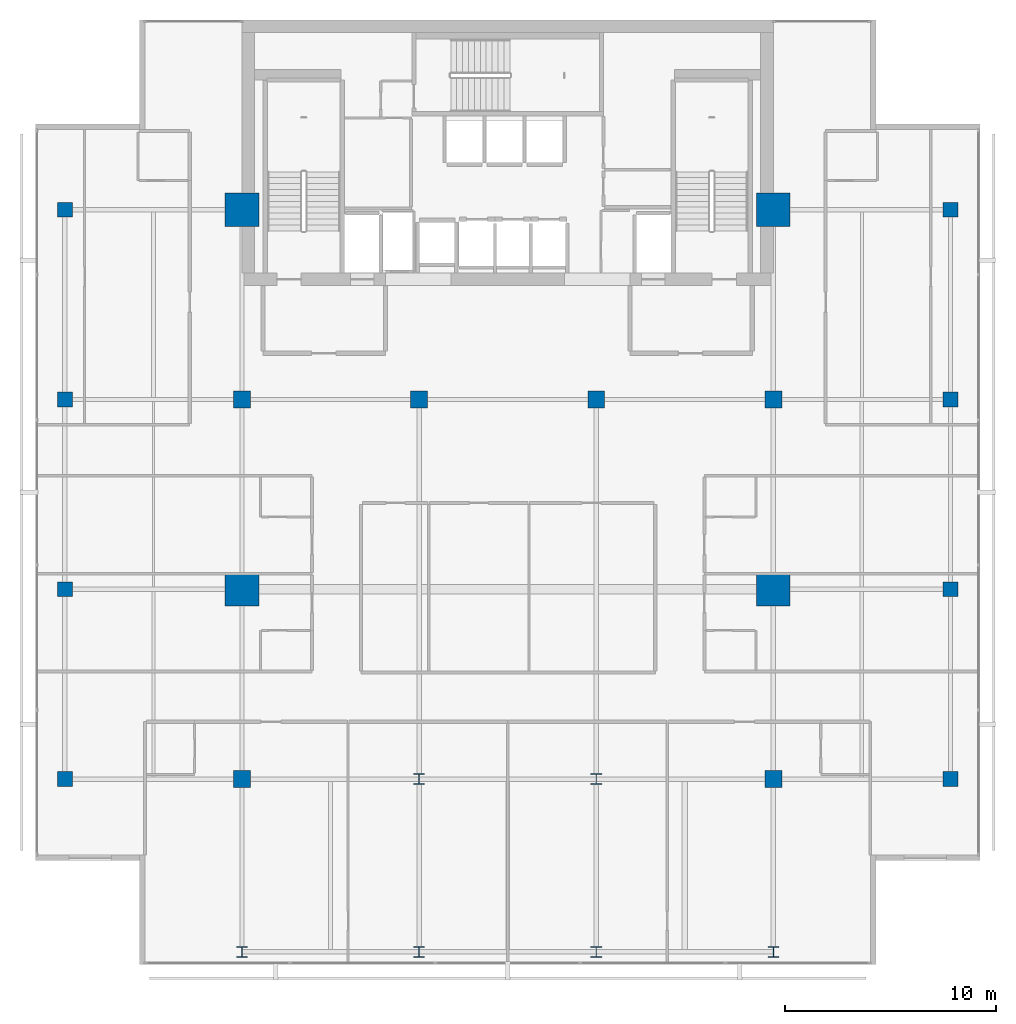
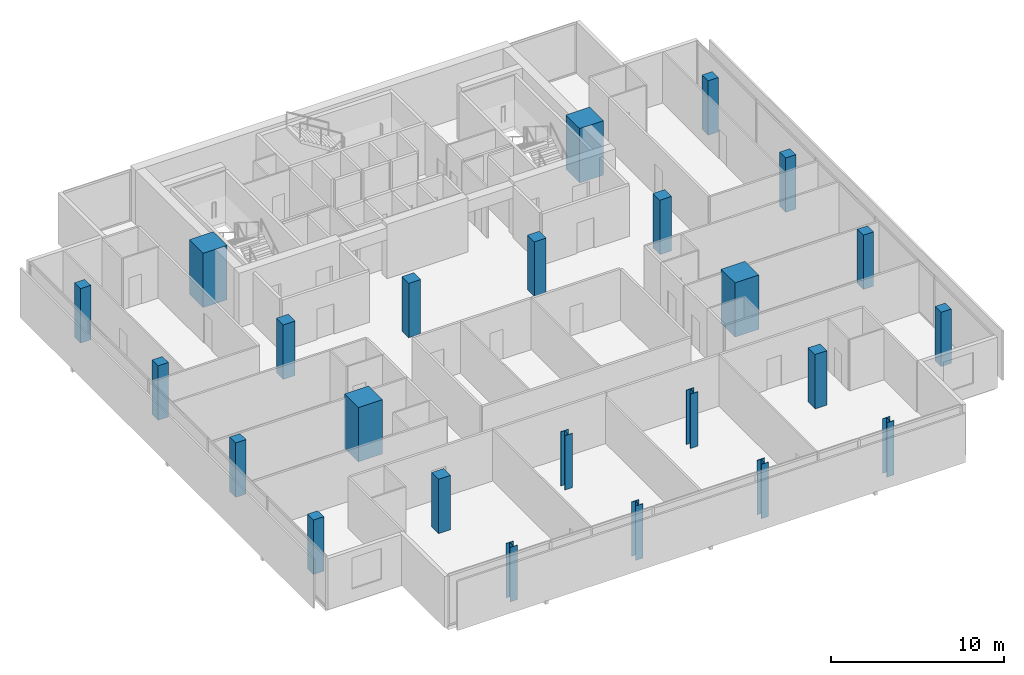
# One storey, part 1 of 25: 24 columns.
"""IFC4 building model written with IfcOpenShell, lengths in metres."""

from ifc_helpers import new_model, si_unit, direction, frame, origin, origin_2d, place, context, subcontext, project, spatial, rectangle, i_section, extrude, material, material_profile, profile_set, type_object, element, save


model = new_model("IFC4")

# Units and contexts
model_context = context("Model", 3, precision=1e-05, world=origin(), true_north=direction((0.0, 1.0)))
body_context = subcontext(model_context, "Body", "Model", "MODEL_VIEW")
ifc_project = project(units=[si_unit("LENGTHUNIT", "METRE"), si_unit("AREAUNIT", "SQUARE_METRE"), si_unit("VOLUMEUNIT", "CUBIC_METRE"), si_unit("PLANEANGLEUNIT", "RADIAN"), si_unit("MASSUNIT", "GRAM", prefix="KILO")], contexts=[model_context])

# Site, building, storey
site_placement = place(None, origin())
site = spatial("IfcSite", under=ifc_project, at=site_placement, CompositionType="ELEMENT")
building_placement = place(site_placement, origin())
building = spatial("IfcBuilding", under=site, at=building_placement, Name="Maruvema Waterfront Hotel and Observation Tower", CompositionType="ELEMENT")
storey_placement = place(building_placement, frame((0.0, 0.0, 274.050048828125)))
storey = spatial("IfcBuildingStorey", under=building, at=storey_placement, Name="L67", CompositionType="ELEMENT", Elevation=274.050048828125)

# Columns
ifc_material_1 = material(Name="Concrete C70/85", Category="concrete")
ifc_material_profile_1 = material_profile(ifc_material_1, rectangle(XDim=1.60009765625, YDim=1.60009765625, at=origin_2d()), Name="MC1600x1600")
ifc_profile_set_1 = profile_set([ifc_material_profile_1], Name="Concrete C70/85")
column_type_1 = type_object("IfcColumnType", Name="Continuous Mega-Column MC1600x1600", PredefinedType="COLUMN", material=ifc_profile_set_1)
for number, where, z_axis, x_axis, name in (
    (1, (25.199951171875, 27.0, 0.0), (0.0, 0.0, 1.0), (1.0, 0.0, 0.0), "L67 Continuous Mega-Column MC-01"),
    (2, (50.39990234375, 27.0, 0.0), (0.0, 0.0, 1.0), (1.0, 0.0, 0.0), "L67 Continuous Mega-Column MC-02"),
    (3, (25.199951171875, 45.0, 0.0), (0.0, 0.0, 1.0), (1.0, 0.0, 0.0), "L67 Continuous Mega-Column MC-03"),
    (4, (50.39990234375, 45.0, 0.0), (0.0, 0.0, 1.0), (1.0, 0.0, 0.0), "L67 Continuous Mega-Column MC-04"),
):
    element("IfcColumn", number, at=place(storey_placement, frame(where, z_axis=z_axis, x_axis=x_axis)), inside=storey, type_object=column_type_1, Name=name, PredefinedType="COLUMN", context=body_context, shape_type="SweptSolid", body=[
        extrude(rectangle(XDim=1.60009765625, YDim=1.60009765625, at=origin_2d()), origin(), (0.0, 0.0, 1.0), 3.849853515625),
    ])
ifc_material_2 = material(Name="Concrete C60/75", Category="concrete")
ifc_material_profile_2 = material_profile(ifc_material_2, rectangle(XDim=0.699951171875, YDim=0.699951171875, at=origin_2d()), Name="RC700x700")
ifc_profile_set_2 = profile_set([ifc_material_profile_2], Name="Concrete C60/75")
column_type_2 = type_object("IfcColumnType", Name="Reinforced Concrete Column RC700x700", PredefinedType="COLUMN", material=ifc_profile_set_2)
for number, where, z_axis, x_axis, name in (
    (5, (16.800048828125, 18.0, 0.0), (0.0, 0.0, 1.0), (1.0, 0.0, 0.0), "L67 Column C-3Y18"),
    (6, (58.800048828125, 18.0, 0.0), (0.0, 0.0, 1.0), (1.0, 0.0, 0.0), "L67 Column C-8Y18"),
    (7, (16.800048828125, 27.0, 0.0), (0.0, 0.0, 1.0), (1.0, 0.0, 0.0), "L67 Column C-3Y27"),
    (8, (58.800048828125, 27.0, 0.0), (0.0, 0.0, 1.0), (1.0, 0.0, 0.0), "L67 Column C-8Y27"),
    (9, (16.800048828125, 36.0, 0.0), (0.0, 0.0, 1.0), (1.0, 0.0, 0.0), "L67 Column C-3Y36"),
    (10, (58.800048828125, 36.0, 0.0), (0.0, 0.0, 1.0), (1.0, 0.0, 0.0), "L67 Column C-8Y36"),
    (11, (16.800048828125, 45.0, 0.0), (0.0, 0.0, 1.0), (1.0, 0.0, 0.0), "L67 Column C-3Y45"),
    (12, (58.800048828125, 45.0, 0.0), (0.0, 0.0, 1.0), (1.0, 0.0, 0.0), "L67 Column C-8Y45"),
):
    element("IfcColumn", number, at=place(storey_placement, frame(where, z_axis=z_axis, x_axis=x_axis)), inside=storey, type_object=column_type_2, Name=name, PredefinedType="COLUMN", context=body_context, shape_type="SweptSolid", body=[
        extrude(rectangle(XDim=0.699951171875, YDim=0.699951171875, at=origin_2d()), origin(), (0.0, 0.0, 1.0), 3.849853515625),
    ])
ifc_material_3 = material(Name="Concrete C60/75", Category="concrete")
ifc_material_profile_3 = material_profile(ifc_material_3, rectangle(XDim=0.800048828125, YDim=0.800048828125, at=origin_2d()), Name="RC800x800")
ifc_profile_set_3 = profile_set([ifc_material_profile_3], Name="Concrete C60/75")
column_type_3 = type_object("IfcColumnType", Name="Reinforced Concrete Column RC800x800", PredefinedType="COLUMN", material=ifc_profile_set_3)
for number, where, z_axis, x_axis, name in (
    (13, (25.199951171875, 36.0, 0.0), (0.0, 0.0, 1.0), (1.0, 0.0, 0.0), "L67 Column C-4E"),
    (14, (33.60009765625, 36.0, 0.0), (0.0, 0.0, 1.0), (1.0, 0.0, 0.0), "L67 Column C-5E"),
    (15, (42.0, 36.0, 0.0), (0.0, 0.0, 1.0), (1.0, 0.0, 0.0), "L67 Column C-6E"),
    (16, (50.39990234375, 36.0, 0.0), (0.0, 0.0, 1.0), (1.0, 0.0, 0.0), "L67 Column C-7E"),
    (17, (25.199951171875, 18.0, 0.0), (0.0, 0.0, 1.0), (1.0, 0.0, 0.0), "L67 Column C-4C"),
    (18, (50.39990234375, 18.0, 0.0), (0.0, 0.0, 1.0), (1.0, 0.0, 0.0), "L67 Column C-7C"),
):
    element("IfcColumn", number, at=place(storey_placement, frame(where, z_axis=z_axis, x_axis=x_axis)), inside=storey, type_object=column_type_3, Name=name, PredefinedType="COLUMN", context=body_context, shape_type="SweptSolid", body=[
        extrude(rectangle(XDim=0.800048828125, YDim=0.800048828125, at=origin_2d()), origin(), (0.0, 0.0, 1.0), 3.849853515625),
    ])
ifc_material_4 = material(Name="Steel ABNT NBR 7007 AR 415 (ASTM A572 Grade 50)", Category="steel")
ifc_material_profile_4 = material_profile(ifc_material_4, i_section(OverallWidth=0.5, OverallDepth=0.5, WebThickness=0.02197265625, FlangeThickness=0.031982421875, at=origin_2d()), Name="CVS500x223")
ifc_profile_set_4 = profile_set([ifc_material_profile_4], Name="Steel ABNT NBR 7007 AR 415 (ASTM A572 Grade 50)")
column_type_4 = type_object("IfcColumnType", Name="Structural Steel Column CVS500x223", PredefinedType="COLUMN", material=ifc_profile_set_4)
for number, where, z_axis, x_axis, name in (
    (19, (33.60009765625, 18.0, 0.0), (0.0, 0.0, 1.0), (1.0, 0.0, 0.0), "L67 Column C-5C"),
    (20, (42.0, 18.0, 0.0), (0.0, 0.0, 1.0), (1.0, 0.0, 0.0), "L67 Column C-6C"),
    (21, (25.199951171875, 9.800048828125, 0.0), (0.0, 0.0, 1.0), (1.0, 0.0, 0.0), "L67 Column C-Z3S4"),
    (22, (33.60009765625, 9.800048828125, 0.0), (0.0, 0.0, 1.0), (1.0, 0.0, 0.0), "L67 Column C-Z3S5"),
    (23, (42.0, 9.800048828125, 0.0), (0.0, 0.0, 1.0), (1.0, 0.0, 0.0), "L67 Column C-Z3S6"),
    (24, (50.39990234375, 9.800048828125, 0.0), (0.0, 0.0, 1.0), (1.0, 0.0, 0.0), "L67 Column C-Z3S7"),
):
    element("IfcColumn", number, at=place(storey_placement, frame(where, z_axis=z_axis, x_axis=x_axis)), inside=storey, type_object=column_type_4, Name=name, PredefinedType="COLUMN", context=body_context, shape_type="SweptSolid", body=[
        extrude(i_section(OverallWidth=0.5, OverallDepth=0.5, WebThickness=0.02197265625, FlangeThickness=0.031982421875, at=origin_2d()), origin(), (0.0, 0.0, 1.0), 3.849853515625),
    ])

save(model, "model.ifc")
